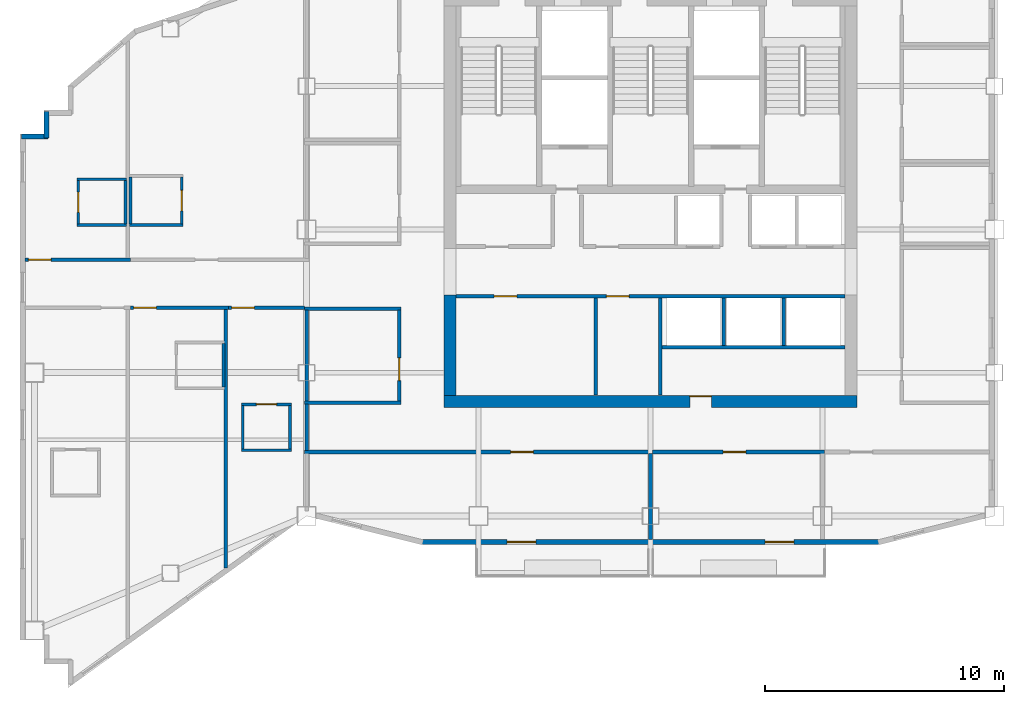
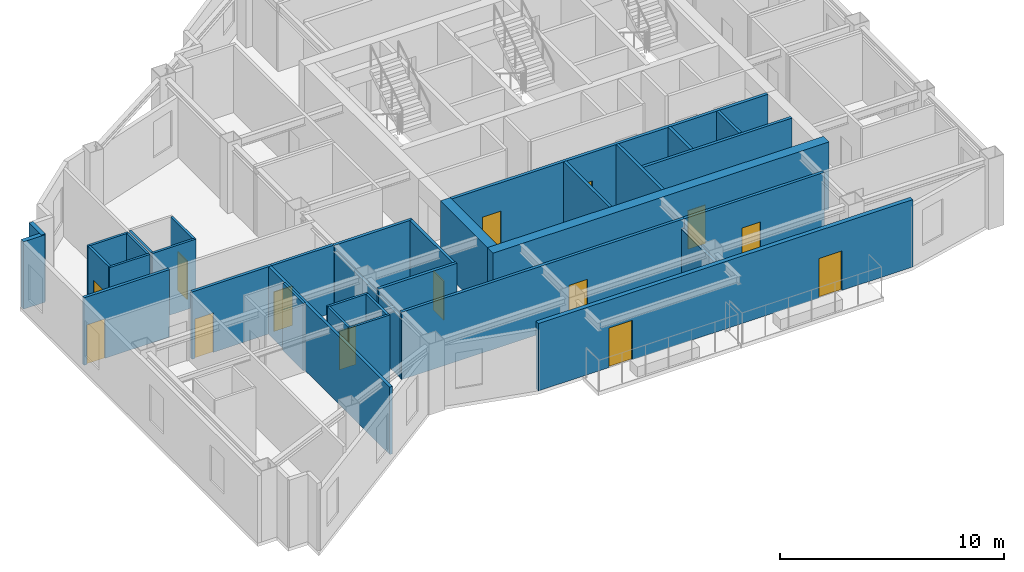
# One storey, part 5 of 9: 35 walls, 14 doors, 14 openings.
"""IFC4 building model written with IfcOpenShell, lengths in metres."""

from ifc_helpers import new_model, si_unit, direction, frame, frame_2d, origin, place, context, subcontext, project, spatial, rectangle, extrude, material, layer, layer_set, type_object, element, fill, save


model = new_model("IFC4")

# Units and contexts
model_context = context("Model", 3, precision=1e-05, world=origin(), true_north=direction((0.0, 1.0)))
body_context = subcontext(model_context, "Body", "Model", "MODEL_VIEW")
ifc_project = project(units=[si_unit("LENGTHUNIT", "METRE"), si_unit("AREAUNIT", "SQUARE_METRE"), si_unit("VOLUMEUNIT", "CUBIC_METRE"), si_unit("PLANEANGLEUNIT", "RADIAN"), si_unit("MASSUNIT", "GRAM", prefix="KILO")], contexts=[model_context])

# Site, building, storey
site_placement = place(None, origin())
site = spatial("IfcSite", under=ifc_project, at=site_placement, CompositionType="ELEMENT")
building_placement = place(site_placement, origin())
building = spatial("IfcBuilding", under=site, at=building_placement, Name="Haolan Belvedere Tower", CompositionType="ELEMENT")
storey_placement = place(building_placement, frame((0.0, 0.0, 262.14990234375)))
storey = spatial("IfcBuildingStorey", under=building, at=storey_placement, Name="L66", CompositionType="ELEMENT", Elevation=262.14990234375)

# Wall, opening, door
ifc_material_1 = material(Name="Concrete C50/60", Category="concrete")
ifc_layer_1 = layer(ifc_material_1, 0.5, Name="Concrete C50/60")
ifc_layer_set_1 = layer_set([ifc_layer_1], Name="Concrete C50/60")
wall_type_1 = type_object("IfcWallType", Name="WL-CORE-500", PredefinedType="SHEAR", material=ifc_layer_set_1)
wall_1_placement = place(storey_placement, frame((29.75, 26.39990234375, 0.0), z_axis=(0.0, 0.0, 1.0), x_axis=(1.0, 0.0, 0.0)))
wall_1 = element("IfcWall", 1, at=wall_1_placement, inside=storey, type_object=wall_type_1, Name="L66 central core south shear wall", PredefinedType="SHEAR", context=body_context, shape_type="SweptSolid", body=[
    extrude(rectangle(XDim=17.300048828125, YDim=0.5, at=frame_2d((8.64990234375, 0.0))), origin(), (0.0, 0.0, 1.0), 3.670166015625),
])
opening_1_placement = place(wall_1_placement, frame((11.199951171875, 0.0, 0.0), z_axis=(0.0, 0.0, 1.0), x_axis=(-1.0, 0.0, 0.0)))
opening_1 = element("IfcOpeningElement", 2, at=opening_1_placement, cuts=wall_1, Name="Opening FD-05", PredefinedType="OPENING", context=body_context, shape_type="SweptSolid", body=[
    extrude(rectangle(XDim=0.89990234375, YDim=2.10009765625, at=frame_2d((0.449951171875, 1.050048828125))), frame((0.0, 0.260009765625, 0.0), z_axis=(0.0, -1.0, 0.0), x_axis=(1.0, 0.0, 0.0)), (0.0, 0.0, 1.0), 0.52001953125),
])
ifc_material_2 = material(Name="Galvanised fire-rated steel", Category="steel")
door_type_1 = type_object("IfcDoorType", Name="DR-FD60-900", OperationType="NOTDEFINED", PredefinedType="DOOR", material=ifc_material_2)
door_1_placement = place(opening_1_placement, origin())
door_1 = element("IfcDoor", 3, at=door_1_placement, inside=storey, type_object=door_type_1, Name="L66 door CD-L66-SCVE", OperationType="SINGLE_SWING_RIGHT", OverallHeight=2.10009765625, OverallWidth=0.89990234375, PredefinedType="DOOR", context=body_context, shape_type="SweptSolid", body=[
    extrude(rectangle(XDim=0.89990234375, YDim=2.10009765625, at=frame_2d((0.449951171875, 1.050048828125))), frame((0.0, -0.19482421875, 0.0), z_axis=(0.0, -1.0, 0.0), x_axis=(1.0, 0.0, 0.0)), (0.0, 0.0, 1.0), 0.050048828125),
])
fill(opening_1, door_1)

# Wall
wall_2_placement = place(storey_placement, frame((30.0, 26.64990234375, 0.0), z_axis=(0.0, 0.0, 1.0), x_axis=(0.0, 1.0, 0.0)))
element("IfcWall", 4, at=wall_2_placement, inside=storey, type_object=wall_type_1, Name="L66 central core shear wall WS", PredefinedType="SHEAR", context=body_context, shape_type="SweptSolid", body=[
    extrude(rectangle(XDim=4.2001953125, YDim=0.5, at=frame_2d((2.10009765625, 0.0))), origin(), (0.0, 0.0, 1.0), 3.670166015625),
])

# Wall, openings, doors
ifc_material_3 = material(Name="Precast concrete C40/50", Category="concrete")
ifc_layer_2 = layer(ifc_material_3, 0.219970703125, Name="Precast concrete C40/50")
ifc_layer_set_2 = layer_set([ifc_layer_2], Name="Precast concrete C40/50")
wall_type_2 = type_object("IfcWallType", Name="WL-EXT-220", PredefinedType="SOLIDWALL", material=ifc_layer_set_2)
wall_3_placement = place(storey_placement, frame((28.758544921875, 20.510009765625, 0.0), z_axis=(0.0, 0.0, 1.0), x_axis=(1.0, 0.0, 0.0)))
wall_3 = element("IfcWall", 5, at=wall_3_placement, inside=storey, type_object=wall_type_2, Name="L66 pale-metal exterior spandrel wall 1.1", PredefinedType="SOLIDWALL", context=body_context, shape_type="SweptSolid", body=[
    extrude(rectangle(XDim=19.282958984375, YDim=0.219970703125, at=frame_2d((9.6416015625, 0.0))), origin(), (0.0, 0.0, 1.0), 3.670166015625),
])
opening_2_placement = place(wall_3_placement, frame((4.841552734375, 0.0, 0.0), z_axis=(0.0, 0.0, 1.0), x_axis=(-1.0, 0.0, 0.0)))
opening_2 = element("IfcOpeningElement", 6, at=opening_2_placement, cuts=wall_3, Name="Opening BD-01", PredefinedType="OPENING", context=body_context, shape_type="SweptSolid", body=[
    extrude(rectangle(XDim=1.199951171875, YDim=2.14990234375, at=frame_2d((0.60009765625, 1.074951171875))), frame((0.0, 0.119873046875, 0.0), z_axis=(0.0, -1.0, 0.0), x_axis=(1.0, 0.0, 0.0)), (0.0, 0.0, 1.0), 0.239990234375),
])
opening_3_placement = place(wall_3_placement, frame((15.641357421875, 0.0, 0.0), z_axis=(0.0, 0.0, 1.0), x_axis=(-1.0, 0.0, 0.0)))
opening_3 = element("IfcOpeningElement", 7, at=opening_3_placement, cuts=wall_3, Name="Opening BD-01", PredefinedType="OPENING", context=body_context, shape_type="SweptSolid", body=[
    extrude(rectangle(XDim=1.199951171875, YDim=2.14990234375, at=frame_2d((0.60009765625, 1.074951171875))), frame((0.0, 0.119873046875, 0.0), z_axis=(0.0, -1.0, 0.0), x_axis=(1.0, 0.0, 0.0)), (0.0, 0.0, 1.0), 0.239990234375),
])
ifc_material_4 = material(Name="Thermally broken pale-metal aluminium and Low-E glass", Category="aluminium")
door_type_2 = type_object("IfcDoorType", Name="DR-BAL-1200", OperationType="NOTDEFINED", PredefinedType="DOOR", material=ifc_material_4)
door_2_placement = place(opening_2_placement, origin())
door_2 = element("IfcDoor", 8, at=door_2_placement, inside=storey, type_object=door_type_2, Name="L66 tree-balcony access door 1", OperationType="SINGLE_SWING_RIGHT", OverallHeight=2.14990234375, OverallWidth=1.199951171875, PredefinedType="DOOR", context=body_context, shape_type="SweptSolid", body=[
    extrude(rectangle(XDim=1.199951171875, YDim=2.14990234375, at=frame_2d((0.60009765625, 1.074951171875))), frame((0.0, 0.02490234375, 0.0), z_axis=(0.0, -1.0, 0.0), x_axis=(1.0, 0.0, 0.0)), (0.0, 0.0, 1.0), 0.050048828125),
])
fill(opening_2, door_2)
door_3_placement = place(opening_3_placement, origin())
door_3 = element("IfcDoor", 9, at=door_3_placement, inside=storey, type_object=door_type_2, Name="L66 tree-balcony access door 2", OperationType="SINGLE_SWING_LEFT", OverallHeight=2.14990234375, OverallWidth=1.199951171875, PredefinedType="DOOR", context=body_context, shape_type="SweptSolid", body=[
    extrude(rectangle(XDim=1.199951171875, YDim=2.14990234375, at=frame_2d((0.60009765625, 1.074951171875))), frame((0.0, 0.02490234375, 0.0), z_axis=(0.0, -1.0, 0.0), x_axis=(1.0, 0.0, 0.0)), (0.0, 0.0, 1.0), 0.050048828125),
])
fill(opening_3, door_3)

# Walls
wall_4_placement = place(storey_placement, frame((13.110107421875, 38.544921875, 0.0), z_axis=(0.0, 0.0, 1.0), x_axis=(0.0, -1.0, 0.0)))
element("IfcWall", 10, at=wall_4_placement, inside=storey, type_object=wall_type_2, Name="L66 pale-metal exterior spandrel wall 21.1", PredefinedType="SOLIDWALL", context=body_context, shape_type="SweptSolid", body=[
    extrude(rectangle(XDim=1.10986328125, YDim=0.219970703125, at=frame_2d((0.554931640625, 0.0))), origin(), (0.0, 0.0, 1.0), 3.670166015625),
])
wall_5_placement = place(storey_placement, frame((13.1650390625, 37.489990234375, 0.0), z_axis=(0.0, 0.0, 1.0), x_axis=(-1.0, 0.0, 0.0)))
element("IfcWall", 11, at=wall_5_placement, inside=storey, type_object=wall_type_2, Name="L66 pale-metal exterior spandrel wall 22.1", PredefinedType="SOLIDWALL", context=body_context, shape_type="SweptSolid", body=[
    extrude(rectangle(XDim=1.110107421875, YDim=0.219970703125, at=frame_2d((0.55517578125, 0.0))), origin(), (0.0, 0.0, 1.0), 3.670166015625),
])
ifc_material_5 = material(Name="Double gypsum acoustic stud partition", Category="masonry")
ifc_layer_3 = layer(ifc_material_5, 0.14990234375, Name="Double gypsum acoustic stud partition")
ifc_layer_set_3 = layer_set([ifc_layer_3], Name="Double gypsum acoustic stud partition")
wall_type_3 = type_object("IfcWallType", Name="WL-PART-150", PredefinedType="PARTITIONING", material=ifc_layer_set_3)
wall_6_placement = place(storey_placement, frame((36.10009765625, 26.659912109375, 0.0), z_axis=(0.0, 0.0, 1.0), x_axis=(0.0, 1.0, 0.0)))
element("IfcWall", 12, at=wall_6_placement, inside=storey, type_object=wall_type_3, Name="L66 interior partition IW-L66-DIV-REUSE-PM", PredefinedType="PARTITIONING", context=body_context, shape_type="SweptSolid", body=[
    extrude(rectangle(XDim=4.0751953125, YDim=0.14990234375, at=frame_2d((2.03759765625, 0.0))), origin(), (0.0, 0.0, 1.0), 3.670166015625),
])
wall_7_placement = place(storey_placement, frame((38.860107421875, 28.659912109375, 0.0), z_axis=(0.0, 0.0, 1.0), x_axis=(1.0, 0.0, 0.0)))
element("IfcWall", 13, at=wall_7_placement, inside=storey, type_object=wall_type_3, Name="L66 interior partition IW-L66-SSTRIP-E", PredefinedType="PARTITIONING", context=body_context, shape_type="SweptSolid", body=[
    extrude(rectangle(XDim=7.68994140625, YDim=0.14990234375, at=frame_2d((3.844970703125, 0.0))), origin(), (0.0, 0.0, 1.0), 3.670166015625),
])
for number, where, z_axis, x_axis, name in (
    (14, (23.919921875, 30.280029296875, 0.0), (0.0, 0.0, 1.0), (1.0, 0.0, 0.0), "L66 interior partition IW-L66-PKTW-N"),
    (15, (23.919921875, 26.35009765625, 0.0), (0.0, 0.0, 1.0), (1.0, 0.0, 0.0), "L66 interior partition IW-L66-PKTW-S"),
):
    element("IfcWall", number, at=place(storey_placement, frame(where, z_axis=z_axis, x_axis=x_axis)), inside=storey, type_object=wall_type_3, Name=name, PredefinedType="PARTITIONING", context=body_context, shape_type="SweptSolid", body=[
        extrude(rectangle(XDim=4.0400390625, YDim=0.14990234375, at=frame_2d((2.02001953125, 0.0))), origin(), (0.0, 0.0, 1.0), 3.670166015625),
    ])
wall_8_placement = place(storey_placement, frame((24.0, 26.409912109375, 0.0), z_axis=(0.0, 0.0, 1.0), x_axis=(0.0, 1.0, 0.0)))
element("IfcWall", 16, at=wall_8_placement, inside=storey, type_object=wall_type_3, Name="L66 interior partition IW-L66-PKTW-W", PredefinedType="PARTITIONING", context=body_context, shape_type="SweptSolid", body=[
    extrude(rectangle(XDim=3.81005859375, YDim=0.14990234375, at=frame_2d((1.905029296875, 0.0))), origin(), (0.0, 0.0, 1.0), 3.315185546875),
])

# Wall, opening, door
wall_9_placement = place(storey_placement, frame((27.8798828125, 26.409912109375, 0.0), z_axis=(0.0, 0.0, 1.0), x_axis=(0.0, 1.0, 0.0)))
wall_9 = element("IfcWall", 17, at=wall_9_placement, inside=storey, type_object=wall_type_3, Name="L66 interior partition IW-L66-PKTW-E", PredefinedType="PARTITIONING", context=body_context, shape_type="SweptSolid", body=[
    extrude(rectangle(XDim=3.81005859375, YDim=0.14990234375, at=frame_2d((1.905029296875, 0.0))), origin(), (0.0, 0.0, 1.0), 3.670166015625),
])
opening_4_placement = place(wall_9_placement, frame((1.81005859375, 0.0, 0.0), z_axis=(0.0, 0.0, 1.0), x_axis=(-1.0, 0.0, 0.0)))
opening_4 = element("IfcOpeningElement", 18, at=opening_4_placement, cuts=wall_9, Name="Opening ID-03", PredefinedType="OPENING", context=body_context, shape_type="SweptSolid", body=[
    extrude(rectangle(XDim=0.949951171875, YDim=2.1201171875, at=frame_2d((0.47509765625, 1.06005859375))), frame((0.0, 0.0849609375, 0.0), z_axis=(0.0, -1.0, 0.0), x_axis=(1.0, 0.0, 0.0)), (0.0, 0.0, 1.0), 0.169921875),
])
ifc_material_6 = material(Name="Painted solid-core timber", Category="wood")
door_type_3 = type_object("IfcDoorType", Name="DR-INT-950", OperationType="NOTDEFINED", PredefinedType="DOOR", material=ifc_material_6)
door_4_placement = place(opening_4_placement, origin())
door_4 = element("IfcDoor", 19, at=door_4_placement, inside=storey, type_object=door_type_3, Name="L66 door ID-L66-PKTW", OperationType="SINGLE_SWING_LEFT", OverallHeight=2.1201171875, OverallWidth=0.949951171875, PredefinedType="DOOR", context=body_context, shape_type="SweptSolid", body=[
    extrude(rectangle(XDim=0.949951171875, YDim=2.1201171875, at=frame_2d((0.47509765625, 1.06005859375))), frame((0.0, 0.02490234375, 0.0), z_axis=(0.0, -1.0, 0.0), x_axis=(1.0, 0.0, 0.0)), (0.0, 0.0, 1.0), 0.050048828125),
])
fill(opening_4, door_4)

wall_10_placement = place(storey_placement, frame((23.919921875, 24.280029296875, 0.0), z_axis=(0.0, 0.0, 1.0), x_axis=(1.0, 0.0, 0.0)))
wall_10 = element("IfcWall", 20, at=wall_10_placement, inside=storey, type_object=wall_type_3, Name="L66 interior partition IW-L66-KS1-N", PredefinedType="PARTITIONING", context=body_context, shape_type="SweptSolid", body=[
    extrude(rectangle(XDim=14.56005859375, YDim=0.14990234375, at=frame_2d((7.280029296875, 0.0))), origin(), (0.0, 0.0, 1.0), 3.670166015625),
])
opening_5_placement = place(wall_10_placement, frame((9.570068359375, 0.0, 0.0), z_axis=(0.0, 0.0, 1.0), x_axis=(-1.0, 0.0, 0.0)))
opening_5 = element("IfcOpeningElement", 21, at=opening_5_placement, cuts=wall_10, Name="Opening ID-03", PredefinedType="OPENING", context=body_context, shape_type="SweptSolid", body=[
    extrude(rectangle(XDim=0.949951171875, YDim=2.1201171875, at=frame_2d((0.47509765625, 1.06005859375))), frame((0.0, 0.0849609375, 0.0), z_axis=(0.0, -1.0, 0.0), x_axis=(1.0, 0.0, 0.0)), (0.0, 0.0, 1.0), 0.169921875),
])
door_5_placement = place(opening_5_placement, origin())
door_5 = element("IfcDoor", 22, at=door_5_placement, inside=storey, type_object=door_type_3, Name="L66 door ID-L66-KS1", OperationType="SINGLE_SWING_RIGHT", OverallHeight=2.1201171875, OverallWidth=0.949951171875, PredefinedType="DOOR", context=body_context, shape_type="SweptSolid", body=[
    extrude(rectangle(XDim=0.949951171875, YDim=2.1201171875, at=frame_2d((0.47509765625, 1.06005859375))), frame((0.0, 0.02490234375, 0.0), z_axis=(0.0, -1.0, 0.0), x_axis=(1.0, 0.0, 0.0)), (0.0, 0.0, 1.0), 0.050048828125),
])
fill(opening_5, door_5)

# Wall
wall_11_placement = place(storey_placement, frame((38.39990234375, 20.612060546875, 0.0), z_axis=(0.0, 0.0, 1.0), x_axis=(0.0, 1.0, 0.0)))
element("IfcWall", 23, at=wall_11_placement, inside=storey, type_object=wall_type_3, Name="L66 interior partition IW-L66-KS1-E", PredefinedType="PARTITIONING", context=body_context, shape_type="SweptSolid", body=[
    extrude(rectangle(XDim=3.60791015625, YDim=0.14990234375, at=frame_2d((1.803955078125, 0.0))), origin(), (0.0, 0.0, 1.0), 3.155029296875),
])

# Wall, opening, door
wall_12_placement = place(storey_placement, frame((38.48193359375, 24.280029296875, 0.0), z_axis=(0.0, 0.0, 1.0), x_axis=(1.0, 0.0, 0.0)))
wall_12 = element("IfcWall", 24, at=wall_12_placement, inside=storey, type_object=wall_type_3, Name="L66 interior partition IW-L66-KS2-N", PredefinedType="PARTITIONING", context=body_context, shape_type="SweptSolid", body=[
    extrude(rectangle(XDim=7.197998046875, YDim=0.14990234375, at=frame_2d((3.59912109375, 0.0))), origin(), (0.0, 0.0, 1.0), 3.670166015625),
])
opening_6_placement = place(wall_12_placement, frame((3.912841796875, 0.0, 0.0), z_axis=(0.0, 0.0, 1.0), x_axis=(-1.0, 0.0, 0.0)))
opening_6 = element("IfcOpeningElement", 25, at=opening_6_placement, cuts=wall_12, Name="Opening ID-03", PredefinedType="OPENING", context=body_context, shape_type="SweptSolid", body=[
    extrude(rectangle(XDim=0.949951171875, YDim=2.1201171875, at=frame_2d((0.47509765625, 1.06005859375))), frame((0.0, 0.0849609375, 0.0), z_axis=(0.0, -1.0, 0.0), x_axis=(1.0, 0.0, 0.0)), (0.0, 0.0, 1.0), 0.169921875),
])
door_6_placement = place(opening_6_placement, origin())
door_6 = element("IfcDoor", 26, at=door_6_placement, inside=storey, type_object=door_type_3, Name="L66 door ID-L66-KS2", OperationType="SINGLE_SWING_LEFT", OverallHeight=2.1201171875, OverallWidth=0.949951171875, PredefinedType="DOOR", context=body_context, shape_type="SweptSolid", body=[
    extrude(rectangle(XDim=0.949951171875, YDim=2.1201171875, at=frame_2d((0.47509765625, 1.06005859375))), frame((0.0, 0.02490234375, 0.0), z_axis=(0.0, -1.0, 0.0), x_axis=(1.0, 0.0, 0.0)), (0.0, 0.0, 1.0), 0.050048828125),
])
fill(opening_6, door_6)

wall_13_placement = place(storey_placement, frame((12.2119140625, 32.330078125, 0.0), z_axis=(0.0, 0.0, 1.0), x_axis=(1.0, 0.0, 0.0)))
wall_13 = element("IfcWall", 27, at=wall_13_placement, inside=storey, type_object=wall_type_3, Name="L66 interior partition IW-L66-T2N1-S", PredefinedType="PARTITIONING", context=body_context, shape_type="SweptSolid", body=[
    extrude(rectangle(XDim=4.408203125, YDim=0.14990234375, at=frame_2d((2.2041015625, 0.0))), origin(), (0.0, 0.0, 1.0), 3.670166015625),
])
opening_7_placement = place(wall_13_placement, frame((0.139892578125, 0.0, 0.0)))
opening_7 = element("IfcOpeningElement", 28, at=opening_7_placement, cuts=wall_13, Name="Opening ID-02", PredefinedType="OPENING", context=body_context, shape_type="SweptSolid", body=[
    extrude(rectangle(XDim=0.949951171875, YDim=2.14990234375, at=frame_2d((0.47509765625, 1.074951171875))), frame((0.0, 0.0849609375, 0.0), z_axis=(0.0, -1.0, 0.0), x_axis=(1.0, 0.0, 0.0)), (0.0, 0.0, 1.0), 0.169921875),
])
ifc_material_7 = material(Name="Acoustic oak veneer fire-rated timber", Category="wood")
door_type_4 = type_object("IfcDoorType", Name="DR-GUEST-950", OperationType="NOTDEFINED", PredefinedType="DOOR", material=ifc_material_7)
door_7_placement = place(opening_7_placement, origin())
door_7 = element("IfcDoor", 29, at=door_7_placement, inside=storey, type_object=door_type_4, Name="L66 door ID-L66-T2N1-ENT", OperationType="SINGLE_SWING_RIGHT", OverallHeight=2.14990234375, OverallWidth=0.949951171875, PredefinedType="DOOR", context=body_context, shape_type="SweptSolid", body=[
    extrude(rectangle(XDim=0.949951171875, YDim=2.14990234375, at=frame_2d((0.47509765625, 1.074951171875))), frame((0.0, 0.02490234375, 0.0), z_axis=(0.0, -1.0, 0.0), x_axis=(1.0, 0.0, 0.0)), (0.0, 0.0, 1.0), 0.050048828125),
])
fill(opening_7, door_7)

wall_14_placement = place(storey_placement, frame((16.6220703125, 30.320068359375, 0.0), z_axis=(0.0, 0.0, 1.0), x_axis=(1.0, 0.0, 0.0)))
wall_14 = element("IfcWall", 30, at=wall_14_placement, inside=storey, type_object=wall_type_3, Name="L66 interior partition IW-L66-T2S2-N", PredefinedType="PARTITIONING", context=body_context, shape_type="SweptSolid", body=[
    extrude(rectangle(XDim=4.097900390625, YDim=0.14990234375, at=frame_2d((2.048828125, 0.0))), origin(), (0.0, 0.0, 1.0), 3.670166015625),
])
opening_8_placement = place(wall_14_placement, frame((1.08984375, 0.0, 0.0), z_axis=(0.0, 0.0, 1.0), x_axis=(-1.0, 0.0, 0.0)))
opening_8 = element("IfcOpeningElement", 31, at=opening_8_placement, cuts=wall_14, Name="Opening ID-02", PredefinedType="OPENING", context=body_context, shape_type="SweptSolid", body=[
    extrude(rectangle(XDim=0.949951171875, YDim=2.14990234375, at=frame_2d((0.47509765625, 1.074951171875))), frame((0.0, 0.0849609375, 0.0), z_axis=(0.0, -1.0, 0.0), x_axis=(1.0, 0.0, 0.0)), (0.0, 0.0, 1.0), 0.169921875),
])
door_8_placement = place(opening_8_placement, origin())
door_8 = element("IfcDoor", 32, at=door_8_placement, inside=storey, type_object=door_type_4, Name="L66 door ID-L66-T2S2-ENT", OperationType="SINGLE_SWING_LEFT", OverallHeight=2.14990234375, OverallWidth=0.949951171875, PredefinedType="DOOR", context=body_context, shape_type="SweptSolid", body=[
    extrude(rectangle(XDim=0.949951171875, YDim=2.14990234375, at=frame_2d((0.47509765625, 1.074951171875))), frame((0.0, 0.02490234375, 0.0), z_axis=(0.0, -1.0, 0.0), x_axis=(1.0, 0.0, 0.0)), (0.0, 0.0, 1.0), 0.050048828125),
])
fill(opening_8, door_8)

# Wall
wall_15_placement = place(storey_placement, frame((20.6201171875, 19.427490234375, 0.0), z_axis=(0.0, 0.0, 1.0), x_axis=(0.0, 1.0, 0.0)))
element("IfcWall", 33, at=wall_15_placement, inside=storey, type_object=wall_type_3, Name="L66 interior partition IW-L66-T2S2-E", PredefinedType="PARTITIONING", context=body_context, shape_type="SweptSolid", body=[
    extrude(rectangle(XDim=10.83251953125, YDim=0.14990234375, at=frame_2d((5.416259765625, 0.0))), origin(), (0.0, 0.0, 1.0), 3.670166015625),
])

# Wall, opening, door
wall_16_placement = place(storey_placement, frame((20.721923828125, 30.320068359375, 0.0), z_axis=(0.0, 0.0, 1.0), x_axis=(1.0, 0.0, 0.0)))
wall_16 = element("IfcWall", 34, at=wall_16_placement, inside=storey, type_object=wall_type_3, Name="L66 interior partition IW-L66-T2S3-N", PredefinedType="PARTITIONING", context=body_context, shape_type="SweptSolid", body=[
    extrude(rectangle(XDim=3.196044921875, YDim=0.14990234375, at=frame_2d((1.59814453125, 0.0))), origin(), (0.0, 0.0, 1.0), 3.670166015625),
])
opening_9_placement = place(wall_16_placement, frame((1.08984375, 0.0, 0.0), z_axis=(0.0, 0.0, 1.0), x_axis=(-1.0, 0.0, 0.0)))
opening_9 = element("IfcOpeningElement", 35, at=opening_9_placement, cuts=wall_16, Name="Opening ID-02", PredefinedType="OPENING", context=body_context, shape_type="SweptSolid", body=[
    extrude(rectangle(XDim=0.949951171875, YDim=2.14990234375, at=frame_2d((0.47509765625, 1.074951171875))), frame((0.0, 0.0849609375, 0.0), z_axis=(0.0, -1.0, 0.0), x_axis=(1.0, 0.0, 0.0)), (0.0, 0.0, 1.0), 0.169921875),
])
door_9_placement = place(opening_9_placement, origin())
door_9 = element("IfcDoor", 36, at=door_9_placement, inside=storey, type_object=door_type_4, Name="L66 door ID-L66-T2S3-ENT", OperationType="SINGLE_SWING_RIGHT", OverallHeight=2.14990234375, OverallWidth=0.949951171875, PredefinedType="DOOR", context=body_context, shape_type="SweptSolid", body=[
    extrude(rectangle(XDim=0.949951171875, YDim=2.14990234375, at=frame_2d((0.47509765625, 1.074951171875))), frame((0.0, 0.02490234375, 0.0), z_axis=(0.0, -1.0, 0.0), x_axis=(1.0, 0.0, 0.0)), (0.0, 0.0, 1.0), 0.050048828125),
])
fill(opening_9, door_9)

# Wall
wall_17_placement = place(storey_placement, frame((24.0, 24.340087890625, 0.0), z_axis=(0.0, 0.0, 1.0), x_axis=(0.0, 1.0, 0.0)))
element("IfcWall", 37, at=wall_17_placement, inside=storey, type_object=wall_type_3, Name="L66 interior partition IW-L66-T2S3-E", PredefinedType="PARTITIONING", context=body_context, shape_type="SweptSolid", body=[
    extrude(rectangle(XDim=1.949951171875, YDim=0.14990234375, at=frame_2d((0.97509765625, 0.0))), origin(), (0.0, 0.0, 1.0), 3.315185546875),
])

# Wall, openings, doors
ifc_material_8 = material(Name="Gypsum fire shaftwall assembly", Category="masonry")
ifc_layer_4 = layer(ifc_material_8, 0.1650390625, Name="Gypsum fire shaftwall assembly")
ifc_layer_set_4 = layer_set([ifc_layer_4], Name="Gypsum fire shaftwall assembly")
wall_type_4 = type_object("IfcWallType", Name="WL-SHAFT-160", PredefinedType="SOLIDWALL", material=ifc_layer_set_4)
wall_18_placement = place(storey_placement, frame((30.25, 30.800048828125, 0.0), z_axis=(0.0, 0.0, 1.0), x_axis=(1.0, 0.0, 0.0)))
wall_18 = element("IfcWall", 38, at=wall_18_placement, inside=storey, type_object=wall_type_4, Name="L66 interior partition IW-L66-ROW-PS", PredefinedType="SOLIDWALL", context=body_context, shape_type="SweptSolid", body=[
    extrude(rectangle(XDim=16.300048828125, YDim=0.159912109375, at=frame_2d((8.14990234375, 0.0))), origin(), (0.0, 0.0, 1.0), 3.670166015625),
])
opening_10_placement = place(wall_18_placement, frame((1.60009765625, 0.0, 0.0)))
opening_10 = element("IfcOpeningElement", 39, at=opening_10_placement, cuts=wall_18, Name="Opening ID-03", PredefinedType="OPENING", context=body_context, shape_type="SweptSolid", body=[
    extrude(rectangle(XDim=0.949951171875, YDim=2.1201171875, at=frame_2d((0.47509765625, 1.06005859375))), frame((0.0, 0.08984375, 0.0), z_axis=(0.0, -1.0, 0.0), x_axis=(1.0, 0.0, 0.0)), (0.0, 0.0, 1.0), 0.179931640625),
])
opening_11_placement = place(wall_18_placement, frame((6.300048828125, 0.0, 0.0)))
opening_11 = element("IfcOpeningElement", 40, at=opening_11_placement, cuts=wall_18, Name="Opening ID-03", PredefinedType="OPENING", context=body_context, shape_type="SweptSolid", body=[
    extrude(rectangle(XDim=0.949951171875, YDim=2.1201171875, at=frame_2d((0.47509765625, 1.06005859375))), frame((0.0, 0.08984375, 0.0), z_axis=(0.0, -1.0, 0.0), x_axis=(1.0, 0.0, 0.0)), (0.0, 0.0, 1.0), 0.179931640625),
])
door_10_placement = place(opening_10_placement, origin())
door_10 = element("IfcDoor", 41, at=door_10_placement, inside=storey, type_object=door_type_3, Name="L66 door ID-L66-CD-RPMA", OperationType="SINGLE_SWING_LEFT", OverallHeight=2.1201171875, OverallWidth=0.949951171875, PredefinedType="DOOR", context=body_context, shape_type="SweptSolid", body=[
    extrude(rectangle(XDim=0.949951171875, YDim=2.1201171875, at=frame_2d((0.47509765625, 1.06005859375))), frame((0.0, 0.02490234375, 0.0), z_axis=(0.0, -1.0, 0.0), x_axis=(1.0, 0.0, 0.0)), (0.0, 0.0, 1.0), 0.050048828125),
])
fill(opening_10, door_10)
door_11_placement = place(opening_11_placement, origin())
door_11 = element("IfcDoor", 42, at=door_11_placement, inside=storey, type_object=door_type_3, Name="L66 door ID-L66-CD-RPMB", OperationType="SINGLE_SWING_RIGHT", OverallHeight=2.1201171875, OverallWidth=0.949951171875, PredefinedType="DOOR", context=body_context, shape_type="SweptSolid", body=[
    extrude(rectangle(XDim=0.949951171875, YDim=2.1201171875, at=frame_2d((0.47509765625, 1.06005859375))), frame((0.0, 0.02490234375, 0.0), z_axis=(0.0, -1.0, 0.0), x_axis=(1.0, 0.0, 0.0)), (0.0, 0.0, 1.0), 0.050048828125),
])
fill(opening_11, door_11)

# Walls
wall_19_placement = place(storey_placement, frame((38.800048828125, 26.659912109375, 0.0), z_axis=(0.0, 0.0, 1.0), x_axis=(0.0, 1.0, 0.0)))
element("IfcWall", 43, at=wall_19_placement, inside=storey, type_object=wall_type_4, Name="L66 interior partition IW-L66-DIV-PM-OB", PredefinedType="SOLIDWALL", context=body_context, shape_type="SweptSolid", body=[
    extrude(rectangle(XDim=4.0751953125, YDim=0.14990234375, at=frame_2d((2.03759765625, 0.0))), origin(), (0.0, 0.0, 1.0), 3.670166015625),
])
for number, where, z_axis, x_axis, name in (
    (44, (41.469970703125, 28.75, 0.0), (0.0, 0.0, 1.0), (0.0, 1.0, 0.0), "L66 interior partition IW-L66-DIV-OB1"),
    (45, (43.97998046875, 28.75, 0.0), (0.0, 0.0, 1.0), (0.0, 1.0, 0.0), "L66 interior partition IW-L66-DIV-OB2"),
):
    element("IfcWall", number, at=place(storey_placement, frame(where, z_axis=z_axis, x_axis=x_axis)), inside=storey, type_object=wall_type_4, Name=name, PredefinedType="SOLIDWALL", context=body_context, shape_type="SweptSolid", body=[
        extrude(rectangle(XDim=1.985107421875, YDim=0.14990234375, at=frame_2d((0.99267578125, 0.0))), origin(), (0.0, 0.0, 1.0), 3.670166015625),
    ])
ifc_material_9 = material(Name="Moisture-resistant gypsum tile partition", Category="masonry")
ifc_layer_5 = layer(ifc_material_9, 0.1201171875, Name="Moisture-resistant gypsum tile partition")
ifc_layer_set_5 = layer_set([ifc_layer_5], Name="Moisture-resistant gypsum tile partition")
wall_type_5 = type_object("IfcWallType", Name="WL-WET-120", PredefinedType="PARTITIONING", material=ifc_layer_set_5)
for number, where, z_axis, x_axis, name in (
    (46, (14.3798828125, 35.699951171875, 0.0), (0.0, 0.0, 1.0), (1.0, 0.0, 0.0), "L66 interior partition IW-L66-T2N1-BN"),
    (47, (14.3798828125, 33.780029296875, 0.0), (0.0, 0.0, 1.0), (1.0, 0.0, 0.0), "L66 interior partition IW-L66-T2N1-BS"),
):
    element("IfcWall", number, at=place(storey_placement, frame(where, z_axis=z_axis, x_axis=x_axis)), inside=storey, type_object=wall_type_5, Name=name, PredefinedType="PARTITIONING", context=body_context, shape_type="SweptSolid", body=[
        extrude(rectangle(XDim=2.080078125, YDim=0.1201171875, at=frame_2d((1.0400390625, 0.0))), origin(), (0.0, 0.0, 1.0), 3.670166015625),
    ])

# Wall, opening, door
wall_20_placement = place(storey_placement, frame((14.43994140625, 33.824951171875, 0.0), z_axis=(0.0, 0.0, 1.0), x_axis=(0.0, 1.0, 0.0)))
wall_20 = element("IfcWall", 48, at=wall_20_placement, inside=storey, type_object=wall_type_5, Name="L66 interior partition IW-L66-T2N1-BW", PredefinedType="PARTITIONING", context=body_context, shape_type="SweptSolid", body=[
    extrude(rectangle(XDim=1.830078125, YDim=0.1201171875, at=frame_2d((0.9150390625, 0.0))), origin(), (0.0, 0.0, 1.0), 3.670166015625),
])
opening_12_placement = place(wall_20_placement, frame((1.340087890625, 0.0, 0.0), z_axis=(0.0, 0.0, 1.0), x_axis=(-1.0, 0.0, 0.0)))
opening_12 = element("IfcOpeningElement", 49, at=opening_12_placement, cuts=wall_20, Name="Opening ID-05", PredefinedType="OPENING", context=body_context, shape_type="SweptSolid", body=[
    extrude(rectangle(XDim=0.85009765625, YDim=2.10009765625, at=frame_2d((0.425048828125, 1.050048828125))), frame((0.0, 0.070068359375, 0.0), z_axis=(0.0, -1.0, 0.0), x_axis=(1.0, 0.0, 0.0)), (0.0, 0.0, 1.0), 0.14013671875),
])
ifc_material_10 = material(Name="Moisture-resistant lacquered timber", Category="wood")
door_type_5 = type_object("IfcDoorType", Name="DR-BATH-850", OperationType="NOTDEFINED", PredefinedType="DOOR", material=ifc_material_10)
door_12_placement = place(opening_12_placement, origin())
door_12 = element("IfcDoor", 50, at=door_12_placement, inside=storey, type_object=door_type_5, Name="L66 door ID-L66-T2N1-BATH", OperationType="SINGLE_SWING_LEFT", OverallHeight=2.10009765625, OverallWidth=0.85009765625, PredefinedType="DOOR", context=body_context, shape_type="SweptSolid", body=[
    extrude(rectangle(XDim=0.85009765625, YDim=2.10009765625, at=frame_2d((0.425048828125, 1.050048828125))), frame((0.0, 0.02490234375, 0.0), z_axis=(0.0, -1.0, 0.0), x_axis=(1.0, 0.0, 0.0)), (0.0, 0.0, 1.0), 0.050048828125),
])
fill(opening_12, door_12)

# Walls
wall_21_placement = place(storey_placement, frame((16.419921875, 33.824951171875, 0.0), z_axis=(0.0, 0.0, 1.0), x_axis=(0.0, 1.0, 0.0)))
element("IfcWall", 51, at=wall_21_placement, inside=storey, type_object=wall_type_5, Name="L66 interior partition IW-L66-T2N1-BE", PredefinedType="PARTITIONING", context=body_context, shape_type="SweptSolid", body=[
    extrude(rectangle(XDim=1.830078125, YDim=0.1201171875, at=frame_2d((0.9150390625, 0.0))), origin(), (0.0, 0.0, 1.0), 3.670166015625),
])
wall_22_placement = place(storey_placement, frame((16.580078125, 33.780029296875, 0.0), z_axis=(0.0, 0.0, 1.0), x_axis=(1.0, 0.0, 0.0)))
element("IfcWall", 52, at=wall_22_placement, inside=storey, type_object=wall_type_5, Name="L66 interior partition IW-L66-T2N2-BS", PredefinedType="PARTITIONING", context=body_context, shape_type="SweptSolid", body=[
    extrude(rectangle(XDim=2.25, YDim=0.1201171875, at=frame_2d((1.125, 0.0))), origin(), (0.0, 0.0, 1.0), 3.670166015625),
])
wall_23_placement = place(storey_placement, frame((16.6201171875, 33.824951171875, 0.0), z_axis=(0.0, 0.0, 1.0), x_axis=(0.0, 1.0, 0.0)))
element("IfcWall", 53, at=wall_23_placement, inside=storey, type_object=wall_type_5, Name="L66 interior partition IW-L66-T2N2-BW", PredefinedType="PARTITIONING", context=body_context, shape_type="SweptSolid", body=[
    extrude(rectangle(XDim=1.9599609375, YDim=0.1201171875, at=frame_2d((0.97998046875, 0.0))), origin(), (0.0, 0.0, 1.0), 3.670166015625),
])

# Wall, opening, door
wall_24_placement = place(storey_placement, frame((18.77001953125, 33.824951171875, 0.0), z_axis=(0.0, 0.0, 1.0), x_axis=(0.0, 1.0, 0.0)))
wall_24 = element("IfcWall", 54, at=wall_24_placement, inside=storey, type_object=wall_type_5, Name="L66 interior partition IW-L66-T2N2-BE", PredefinedType="PARTITIONING", context=body_context, shape_type="SweptSolid", body=[
    extrude(rectangle(XDim=1.9599609375, YDim=0.1201171875, at=frame_2d((0.97998046875, 0.0))), origin(), (0.0, 0.0, 1.0), 3.670166015625),
])
opening_13_placement = place(wall_24_placement, frame((0.554931640625, 0.0, 0.0)))
opening_13 = element("IfcOpeningElement", 55, at=opening_13_placement, cuts=wall_24, Name="Opening ID-05", PredefinedType="OPENING", context=body_context, shape_type="SweptSolid", body=[
    extrude(rectangle(XDim=0.85009765625, YDim=2.10009765625, at=frame_2d((0.425048828125, 1.050048828125))), frame((0.0, 0.070068359375, 0.0), z_axis=(0.0, -1.0, 0.0), x_axis=(1.0, 0.0, 0.0)), (0.0, 0.0, 1.0), 0.14013671875),
])
door_13_placement = place(opening_13_placement, origin())
door_13 = element("IfcDoor", 56, at=door_13_placement, inside=storey, type_object=door_type_5, Name="L66 door ID-L66-T2N2-BATH", OperationType="SINGLE_SWING_RIGHT", OverallHeight=2.10009765625, OverallWidth=0.85009765625, PredefinedType="DOOR", context=body_context, shape_type="SweptSolid", body=[
    extrude(rectangle(XDim=0.85009765625, YDim=2.10009765625, at=frame_2d((0.425048828125, 1.050048828125))), frame((0.0, 0.02490234375, 0.0), z_axis=(0.0, -1.0, 0.0), x_axis=(1.0, 0.0, 0.0)), (0.0, 0.0, 1.0), 0.050048828125),
])
fill(opening_13, door_13)

# Wall
wall_25_placement = place(storey_placement, frame((20.52001953125, 26.9951171875, 0.0), z_axis=(0.0, 0.0, 1.0), x_axis=(0.0, 1.0, 0.0)))
element("IfcWall", 57, at=wall_25_placement, inside=storey, type_object=wall_type_5, Name="L66 interior partition IW-L66-T2S2-BE", PredefinedType="PARTITIONING", context=body_context, shape_type="SweptSolid", body=[
    extrude(rectangle(XDim=1.829833984375, YDim=0.1201171875, at=frame_2d((0.9150390625, 0.0))), origin(), (0.0, 0.0, 1.0), 3.670166015625),
])

# Wall, opening, door
wall_26_placement = place(storey_placement, frame((21.26806640625, 26.27490234375, 0.0), z_axis=(0.0, 0.0, 1.0), x_axis=(1.0, 0.0, 0.0)))
wall_26 = element("IfcWall", 58, at=wall_26_placement, inside=storey, type_object=wall_type_5, Name="L66 interior partition IW-L66-T2S3-BN", PredefinedType="PARTITIONING", context=body_context, shape_type="SweptSolid", body=[
    extrude(rectangle(XDim=2.099853515625, YDim=0.1201171875, at=frame_2d((1.0498046875, 0.0))), origin(), (0.0, 0.0, 1.0), 3.670166015625),
])
opening_14_placement = place(wall_26_placement, frame((1.47509765625, 0.0, 0.0), z_axis=(0.0, 0.0, 1.0), x_axis=(-1.0, 0.0, 0.0)))
opening_14 = element("IfcOpeningElement", 59, at=opening_14_placement, cuts=wall_26, Name="Opening ID-05", PredefinedType="OPENING", context=body_context, shape_type="SweptSolid", body=[
    extrude(rectangle(XDim=0.85009765625, YDim=2.10009765625, at=frame_2d((0.425048828125, 1.050048828125))), frame((0.0, 0.070068359375, 0.0), z_axis=(0.0, -1.0, 0.0), x_axis=(1.0, 0.0, 0.0)), (0.0, 0.0, 1.0), 0.14013671875),
])
door_14_placement = place(opening_14_placement, origin())
door_14 = element("IfcDoor", 60, at=door_14_placement, inside=storey, type_object=door_type_5, Name="L66 door ID-L66-T2S3-BATH", OperationType="SINGLE_SWING_LEFT", OverallHeight=2.10009765625, OverallWidth=0.85009765625, PredefinedType="DOOR", context=body_context, shape_type="SweptSolid", body=[
    extrude(rectangle(XDim=0.85009765625, YDim=2.10009765625, at=frame_2d((0.425048828125, 1.050048828125))), frame((0.0, 0.02490234375, 0.0), z_axis=(0.0, -1.0, 0.0), x_axis=(1.0, 0.0, 0.0)), (0.0, 0.0, 1.0), 0.050048828125),
])
fill(opening_14, door_14)

# Walls
wall_27_placement = place(storey_placement, frame((21.26806640625, 24.35498046875, 0.0), z_axis=(0.0, 0.0, 1.0), x_axis=(1.0, 0.0, 0.0)))
element("IfcWall", 61, at=wall_27_placement, inside=storey, type_object=wall_type_5, Name="L66 interior partition IW-L66-T2S3-BS", PredefinedType="PARTITIONING", context=body_context, shape_type="SweptSolid", body=[
    extrude(rectangle(XDim=2.099853515625, YDim=0.1201171875, at=frame_2d((1.0498046875, 0.0))), origin(), (0.0, 0.0, 1.0), 3.670166015625),
])
for number, where, z_axis, x_axis, name in (
    (62, (21.327880859375, 24.39990234375, 0.0), (0.0, 0.0, 1.0), (0.0, 1.0, 0.0), "L66 interior partition IW-L66-T2S3-BW"),
    (63, (23.30810546875, 24.39990234375, 0.0), (0.0, 0.0, 1.0), (0.0, 1.0, 0.0), "L66 interior partition IW-L66-T2S3-BE"),
):
    element("IfcWall", number, at=place(storey_placement, frame(where, z_axis=z_axis, x_axis=x_axis)), inside=storey, type_object=wall_type_5, Name=name, PredefinedType="PARTITIONING", context=body_context, shape_type="SweptSolid", body=[
        extrude(rectangle(XDim=1.830078125, YDim=0.1201171875, at=frame_2d((0.9150390625, 0.0))), origin(), (0.0, 0.0, 1.0), 3.670166015625),
    ])

save(model, "model.ifc")
